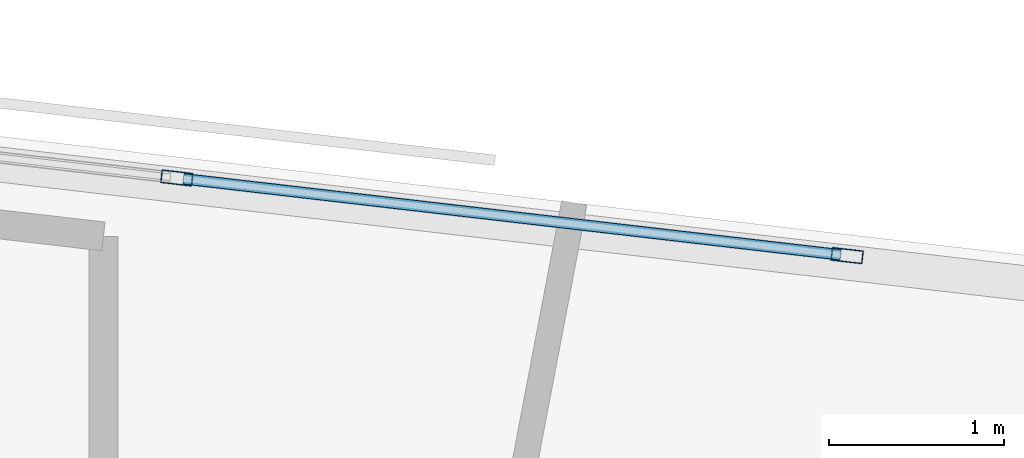
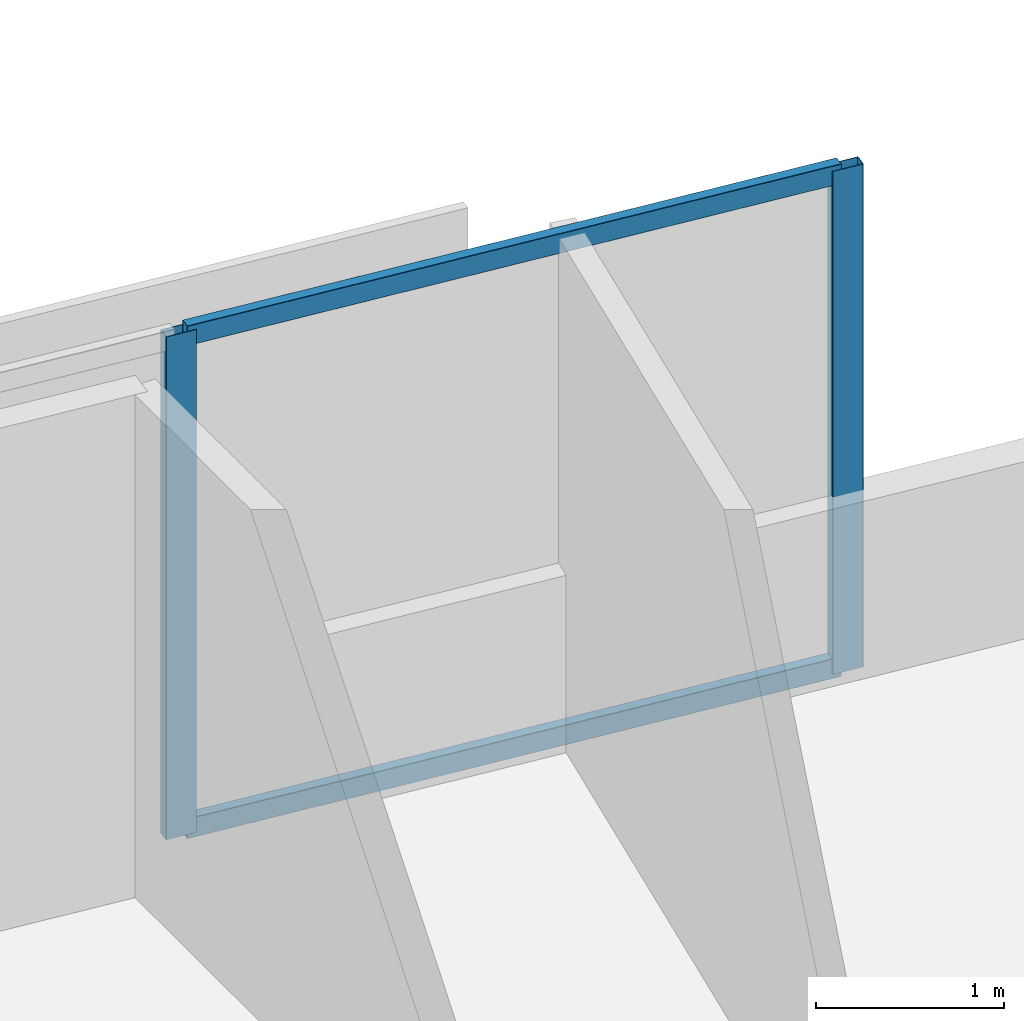
# One storey, part 2 of 13: 4 members, 1 element without a shape of its own.
"""IFC4 building model written with IfcOpenShell, lengths in metres."""

from ifc_helpers import new_model, si_unit, direction, frame, origin, origin_2d, place, context, subcontext, project, spatial, hollow_rectangle, extrude, material, material_profile, profile_set, type_object, element, aggregate, save


model = new_model("IFC4")

# Units and contexts
model_context = context("Model", 3, precision=1e-05, world=origin(), true_north=direction((0.0, 1.0)))
body_context = subcontext(model_context, "Body", "Model", "MODEL_VIEW")
ifc_project = project(units=[si_unit("LENGTHUNIT", "METRE"), si_unit("AREAUNIT", "SQUARE_METRE"), si_unit("VOLUMEUNIT", "CUBIC_METRE"), si_unit("PLANEANGLEUNIT", "RADIAN"), si_unit("MASSUNIT", "GRAM", prefix="KILO")], contexts=[model_context])

# Site, building, storey
site_placement = place(None, origin())
site = spatial("IfcSite", under=ifc_project, at=site_placement, CompositionType="ELEMENT")
building_placement = place(site_placement, origin())
building = spatial("IfcBuilding", under=site, at=building_placement, Name="Narakoshi Arena Tower", CompositionType="ELEMENT")
storey_placement = place(building_placement, frame((0.0, 0.0, 229.06005859375)))
storey = spatial("IfcBuildingStorey", under=building, at=storey_placement, Name="L62", CompositionType="ELEMENT", Elevation=229.06005859375)

# Curtain wall, members
ifc_material = material(Name="Anodised bronze aluminium 6063-T6", Category="aluminium")
curtain_wall_type = type_object("IfcCurtainWallType", Name="CW-HYP-MID", PredefinedType="NOTDEFINED", material=ifc_material)
curtain_wall_placement = place(storey_placement, origin())
curtain_wall = element("IfcCurtainWall", 1, at=curtain_wall_placement, inside=storey, type_object=curtain_wall_type, Name="L62 Folded Hypotenuse Curtain Wall 2-1", PredefinedType="NOTDEFINED")
ifc_material_profile_1 = material_profile(ifc_material, hollow_rectangle(XDim=0.074951171875, YDim=0.179931640625, WallThickness=0.00390625, OuterFilletRadius=0.0048828125, at=origin_2d()), Name="MUL180x75x4")
ifc_profile_set_1 = profile_set([ifc_material_profile_1], Name="Anodised bronze aluminium 6063-T6")
member_type_1 = type_object("IfcMemberType", Name="MEM-MUL-180", PredefinedType="MULLION", material=ifc_profile_set_1)
member_1_placement = place(storey_placement, frame((83.901611328125, 63.554931640625, 0.0), z_axis=(0.0, 0.0, 1.0), x_axis=(-0.115011296816, -0.993364183774, 0.0)))
member_1 = element("IfcMember", 2, at=member_1_placement, type_object=member_type_1, Name="CW-02 mullion 1", PredefinedType="MULLION", context=body_context, shape_type="SweptSolid", body=[
    extrude(hollow_rectangle(XDim=0.074951171875, YDim=0.179931640625, WallThickness=0.00390625, OuterFilletRadius=0.0048828125, at=origin_2d()), origin(), (0.0, 0.0, 1.0), 3.260009765625),
])
member_2_placement = place(storey_placement, frame((80.06982421875, 63.99853515625, 0.0), z_axis=(0.0, 0.0, 1.0), x_axis=(-0.115011296816, -0.993364183774, 0.0)))
member_2 = element("IfcMember", 3, at=member_2_placement, type_object=member_type_1, Name="CW-02 mullion 2", PredefinedType="MULLION", context=body_context, shape_type="SweptSolid", body=[
    extrude(hollow_rectangle(XDim=0.074951171875, YDim=0.179931640625, WallThickness=0.00390625, OuterFilletRadius=0.0048828125, at=origin_2d()), origin(), (0.0, 0.0, 1.0), 3.260009765625),
])
ifc_material_profile_2 = material_profile(ifc_material, hollow_rectangle(XDim=0.06494140625, YDim=0.1298828125, WallThickness=0.00390625, OuterFilletRadius=0.0048828125, at=origin_2d()), Name="TRN130x65x4")
ifc_profile_set_2 = profile_set([ifc_material_profile_2], Name="Anodised bronze aluminium 6063-T6")
member_type_2 = type_object("IfcMemberType", Name="MEM-TRN-130", PredefinedType="USERDEFINED", material=ifc_profile_set_2)
member_3_placement = place(storey_placement, frame((83.864501953125, 63.55908203125, 0.032470703125), z_axis=(-0.993363915753, 0.115013611713, 0.0), x_axis=(-0.115013611713, -0.993363915753, 0.0)))
member_3 = element("IfcMember", 4, at=member_3_placement, type_object=member_type_2, Name="CW-02 transom 1.1", ObjectType="TRANSOM", PredefinedType="USERDEFINED", context=body_context, shape_type="SweptSolid", body=[
    extrude(hollow_rectangle(XDim=0.06494140625, YDim=0.1298828125, WallThickness=0.00390625, OuterFilletRadius=0.0048828125, at=origin_2d()), origin(), (0.0, 0.0, 1.0), 3.78271484375),
])
member_4_placement = place(storey_placement, frame((83.864501953125, 63.55908203125, 3.2275390625), z_axis=(-0.993363915753, 0.115013611713, 0.0), x_axis=(-0.115013611713, -0.993363915753, 0.0)))
member_4 = element("IfcMember", 5, at=member_4_placement, type_object=member_type_2, Name="CW-02 transom 1.2", ObjectType="TRANSOM", PredefinedType="USERDEFINED", context=body_context, shape_type="SweptSolid", body=[
    extrude(hollow_rectangle(XDim=0.06494140625, YDim=0.1298828125, WallThickness=0.00390625, OuterFilletRadius=0.0048828125, at=origin_2d()), origin(), (0.0, 0.0, 1.0), 3.78271484375),
])
aggregate(curtain_wall, [member_1, member_2, member_3, member_4])

save(model, "model.ifc")
